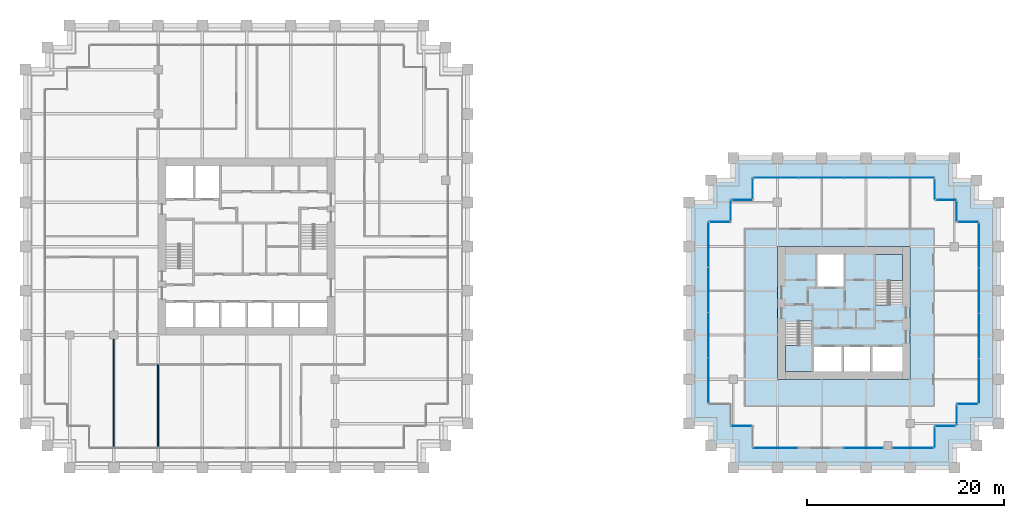
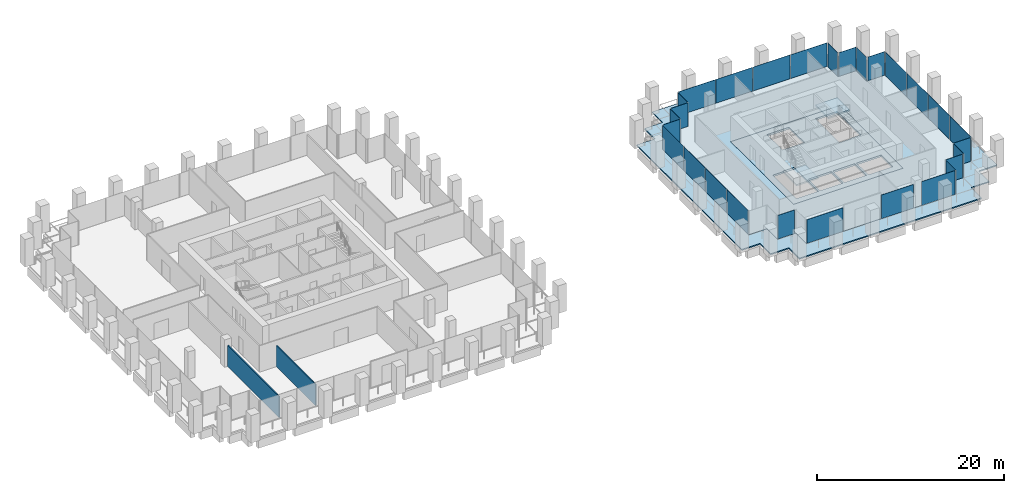
# One storey, part 49 of 54: 28 plates, 5 slabs, 2 walls, 21 elements without a shape of their own.
"""IFC4 building model written with IfcOpenShell, lengths in metres."""

from ifc_helpers import new_model, si_unit, direction, frame, frame_2d, origin, origin_2d, place, context, subcontext, project, spatial, polyline, rectangle, outline, extrude, material, layer, layer_set, type_object, element, aggregate, save


model = new_model("IFC4")

# Units and contexts
model_context = context("Model", 3, precision=1e-05, world=origin(), true_north=direction((0.0, 1.0)))
body_context = subcontext(model_context, "Body", "Model", "MODEL_VIEW")
ifc_project = project(units=[si_unit("LENGTHUNIT", "METRE"), si_unit("AREAUNIT", "SQUARE_METRE"), si_unit("VOLUMEUNIT", "CUBIC_METRE"), si_unit("PLANEANGLEUNIT", "RADIAN"), si_unit("MASSUNIT", "GRAM", prefix="KILO")], contexts=[model_context])

# Site, building, storey
site_placement = place(None, origin())
site = spatial("IfcSite", under=ifc_project, at=site_placement, CompositionType="ELEMENT")
building_placement = place(site_placement, origin())
building = spatial("IfcBuilding", under=site, at=building_placement, Name="Altepetl Exchange Towers", CompositionType="ELEMENT")
storey_placement = place(building_placement, frame((0.0, 0.0, 65.39990234375)))
storey = spatial("IfcBuildingStorey", under=building, at=storey_placement, Name="L15", CompositionType="ELEMENT", Elevation=65.39990234375)

# Slabs
ifc_material_1 = material(Name="Concrete C40/50", Category="concrete")
ifc_layer_1 = layer(ifc_material_1, 0.14990234375)
ifc_layer_set_1 = layer_set([ifc_layer_1], Name="Concrete C40/50")
slab_type_1 = type_object("IfcSlabType", Name="Composite floor slab 150", PredefinedType="FLOOR", material=ifc_layer_set_1)
slab_1_placement = place(storey_placement, frame((0.0, 0.0, -0.14990234375)))
element("IfcSlab", 1, at=slab_1_placement, inside=storey, type_object=slab_type_1, Name="slab:B:L15:strip0", PredefinedType="FLOOR", context=body_context, shape_type="SweptSolid", body=[
    extrude(outline(polyline([(98.75, 54.25), (98.75, 52.0), (96.5, 52.0), (96.5, 33.5), (98.75, 33.5), (98.75, 31.25), (101.0, 31.25), (101.0, 29.0), (119.5, 29.0), (119.5, 31.25), (121.75, 31.25), (121.75, 33.5), (124.0, 33.5), (124.0, 52.0), (121.75, 52.0), (121.75, 54.25), (119.5, 54.25), (119.5, 56.5), (101.0, 56.5), (101.0, 54.25), (98.75, 54.25)]), holes=[polyline([(117.0, 49.5), (117.0, 36.0), (103.5, 36.0), (103.5, 49.5), (117.0, 49.5)])]), origin(), (0.0, 0.0, 1.0), 0.14990234375),
])
ifc_layer_2 = layer(ifc_material_1, 0.25)
ifc_layer_set_2 = layer_set([ifc_layer_2], Name="Concrete C40/50")
slab_type_2 = type_object("IfcSlabType", Name="Core floor slab 250", PredefinedType="FLOOR", material=ifc_layer_set_2)
slab_2_placement = place(storey_placement, frame((0.0, 0.0, -0.25)))
element("IfcSlab", 2, at=slab_2_placement, inside=storey, type_object=slab_type_2, Name="slab:B:L15:core0", PredefinedType="FLOOR", context=body_context, shape_type="SweptSolid", body=[
    extrude(outline(polyline([(103.5, 36.0), (117.0, 36.0), (117.0, 49.5), (103.5, 49.5), (103.5, 36.0)]), holes=[polyline([(107.199951171875, 36.800048828125), (107.199951171875, 39.300048828125), (110.032958984375, 39.300048828125), (110.032958984375, 36.800048828125), (107.199951171875, 36.800048828125)]), polyline([(110.23291015625, 39.300048828125), (112.967041015625, 39.300048828125), (112.967041015625, 36.800048828125), (110.23291015625, 36.800048828125), (110.23291015625, 39.300048828125)]), polyline([(113.1669921875, 39.300048828125), (116.199951171875, 39.300048828125), (116.199951171875, 36.800048828125), (113.1669921875, 36.800048828125), (113.1669921875, 39.300048828125)]), polyline([(107.0, 36.800048828125), (104.300048828125, 36.800048828125), (104.300048828125, 41.85009765625), (105.60009765625, 41.85009765625), (105.60009765625, 41.948974609375), (107.0, 41.948974609375), (107.0, 36.800048828125)]), polyline([(116.199951171875, 48.699951171875), (116.199951171875, 43.64990234375), (114.89990234375, 43.64990234375), (114.89990234375, 43.551025390625), (113.5, 43.551025390625), (113.5, 48.699951171875), (116.199951171875, 48.699951171875)]), polyline([(107.532958984375, 48.699951171875), (110.26708984375, 48.699951171875), (110.26708984375, 45.39990234375), (107.532958984375, 45.39990234375), (107.532958984375, 48.699951171875)])]), origin(), (0.0, 0.0, 1.0), 0.25),
])

# Curtain wall, plate
ifc_material_2 = material(Name="Aluminium 6063-T6 glazing", Category="aluminium")
curtain_wall_type = type_object("IfcCurtainWallType", Name="Loggia glazing system", PredefinedType="NOTDEFINED", material=ifc_material_2)
curtain_wall_1_placement = place(storey_placement, origin())
curtain_wall_1 = element("IfcCurtainWall", 3, at=curtain_wall_1_placement, inside=storey, type_object=curtain_wall_type, Name="CW1 run", PredefinedType="NOTDEFINED")
ifc_material_3 = material(Name="Glass 6-16-6 low emissivity", Category="glass")
ifc_layer_3 = layer(ifc_material_3, 0.028076171875)
ifc_layer_set_3 = layer_set([ifc_layer_3], Name="Glass 6-16-6 low emissivity")
plate_type = type_object("IfcPlateType", Name="Glass panel 28 double glazed", PredefinedType="CURTAIN_PANEL", material=ifc_layer_set_3)
plate_1_placement = place(storey_placement, frame((97.66259765625, 52.0, 0.0), z_axis=(0.0, 0.0, 1.0), x_axis=(-1.0, 0.0, 0.0)))
plate_1 = element("IfcPlate", 4, at=plate_1_placement, type_object=plate_type, Name="GP1 panel", PredefinedType="CURTAIN_PANEL", context=body_context, shape_type="SweptSolid", body=[
    extrude(rectangle(XDim=2.054931640625, YDim=0.028076171875, at=origin_2d()), origin(), (0.0, 0.0, 1.0), 3.10009765625),
])
aggregate(curtain_wall_1, [plate_1])

# Curtain wall, plates
curtain_wall_2_placement = place(storey_placement, origin())
curtain_wall_2 = element("IfcCurtainWall", 5, at=curtain_wall_2_placement, inside=storey, type_object=curtain_wall_type, Name="CW1 run", PredefinedType="NOTDEFINED")
plate_2_placement = place(storey_placement, frame((96.5, 49.681884765625, 0.0), z_axis=(0.0, 0.0, 1.0), x_axis=(0.0, -1.0, 0.0)))
plate_2 = element("IfcPlate", 6, at=plate_2_placement, type_object=plate_type, Name="GP1 panel", PredefinedType="CURTAIN_PANEL", context=body_context, shape_type="SweptSolid", body=[
    extrude(rectangle(XDim=4.516357421875, YDim=0.028076171875, at=origin_2d()), origin(), (0.0, 0.0, 1.0), 3.10009765625),
])
plate_3_placement = place(storey_placement, frame((96.5, 45.090576171875, 0.0), z_axis=(0.0, 0.0, 1.0), x_axis=(0.0, -1.0, 0.0)))
plate_3 = element("IfcPlate", 7, at=plate_3_placement, type_object=plate_type, Name="GP1 panel", PredefinedType="CURTAIN_PANEL", context=body_context, shape_type="SweptSolid", body=[
    extrude(rectangle(XDim=4.546142578125, YDim=0.028076171875, at=origin_2d()), origin(), (0.0, 0.0, 1.0), 3.10009765625),
])
plate_4_placement = place(storey_placement, frame((96.5, 40.484375, 0.0), z_axis=(0.0, 0.0, 1.0), x_axis=(0.0, -1.0, 0.0)))
plate_4 = element("IfcPlate", 8, at=plate_4_placement, type_object=plate_type, Name="GP1 panel", PredefinedType="CURTAIN_PANEL", context=body_context, shape_type="SweptSolid", body=[
    extrude(rectangle(XDim=4.546142578125, YDim=0.028076171875, at=origin_2d()), origin(), (0.0, 0.0, 1.0), 3.10009765625),
])
plate_5_placement = place(storey_placement, frame((96.5, 35.89306640625, 0.0), z_axis=(0.0, 0.0, 1.0), x_axis=(0.0, -1.0, 0.0)))
plate_5 = element("IfcPlate", 9, at=plate_5_placement, type_object=plate_type, Name="GP1 panel", PredefinedType="CURTAIN_PANEL", context=body_context, shape_type="SweptSolid", body=[
    extrude(rectangle(XDim=4.516357421875, YDim=0.028076171875, at=origin_2d()), origin(), (0.0, 0.0, 1.0), 3.10009765625),
])
aggregate(curtain_wall_2, [plate_2, plate_3, plate_4, plate_5])

# Curtain wall, plate
curtain_wall_3_placement = place(storey_placement, origin())
curtain_wall_3 = element("IfcCurtainWall", 10, at=curtain_wall_3_placement, inside=storey, type_object=curtain_wall_type, Name="CW1 run", PredefinedType="NOTDEFINED")
plate_6_placement = place(storey_placement, frame((99.83740234375, 31.25, 0.0)))
plate_6 = element("IfcPlate", 11, at=plate_6_placement, type_object=plate_type, Name="GP1 panel", PredefinedType="CURTAIN_PANEL", context=body_context, shape_type="SweptSolid", body=[
    extrude(rectangle(XDim=2.054931640625, YDim=0.028076171875, at=origin_2d()), origin(), (0.0, 0.0, 1.0), 3.10009765625),
])
aggregate(curtain_wall_3, [plate_6])

curtain_wall_4_placement = place(storey_placement, origin())
curtain_wall_4 = element("IfcCurtainWall", 12, at=curtain_wall_4_placement, inside=storey, type_object=curtain_wall_type, Name="CW1 run", PredefinedType="NOTDEFINED")
plate_7_placement = place(storey_placement, frame((103.30322265625, 29.0, 0.0)))
plate_7 = element("IfcPlate", 13, at=plate_7_placement, type_object=plate_type, Name="GP1 panel", PredefinedType="CURTAIN_PANEL", context=body_context, shape_type="SweptSolid", body=[
    extrude(rectangle(XDim=4.486328125, YDim=0.028076171875, at=origin_2d()), origin(), (0.0, 0.0, 1.0), 3.10009765625),
])
aggregate(curtain_wall_4, [plate_7])

curtain_wall_5_placement = place(storey_placement, origin())
curtain_wall_5 = element("IfcCurtainWall", 14, at=curtain_wall_5_placement, inside=storey, type_object=curtain_wall_type, Name="CW1 run", PredefinedType="NOTDEFINED")
plate_8_placement = place(storey_placement, frame((112.2587890625, 29.0, 0.0)))
plate_8 = element("IfcPlate", 15, at=plate_8_placement, type_object=plate_type, Name="GP1 panel", PredefinedType="CURTAIN_PANEL", context=body_context, shape_type="SweptSolid", body=[
    extrude(rectangle(XDim=3.972412109375, YDim=0.028076171875, at=origin_2d()), origin(), (0.0, 0.0, 1.0), 3.10009765625),
])
aggregate(curtain_wall_5, [plate_8])

curtain_wall_6_placement = place(storey_placement, origin())
curtain_wall_6 = element("IfcCurtainWall", 16, at=curtain_wall_6_placement, inside=storey, type_object=curtain_wall_type, Name="CW1 run", PredefinedType="NOTDEFINED")
plate_9_placement = place(storey_placement, frame((117.31005859375, 29.0, 0.0)))
plate_9 = element("IfcPlate", 17, at=plate_9_placement, type_object=plate_type, Name="GP1 panel", PredefinedType="CURTAIN_PANEL", context=body_context, shape_type="SweptSolid", body=[
    extrude(rectangle(XDim=4.110107421875, YDim=0.028076171875, at=origin_2d()), origin(), (0.0, 0.0, 1.0), 3.10009765625),
])
aggregate(curtain_wall_6, [plate_9])

curtain_wall_7_placement = place(storey_placement, origin())
curtain_wall_7 = element("IfcCurtainWall", 18, at=curtain_wall_7_placement, inside=storey, type_object=curtain_wall_type, Name="CW1 run", PredefinedType="NOTDEFINED")
plate_10_placement = place(storey_placement, frame((119.5, 30.08740234375, 0.0), z_axis=(0.0, 0.0, 1.0), x_axis=(0.0, 1.0, 0.0)))
plate_10 = element("IfcPlate", 19, at=plate_10_placement, type_object=plate_type, Name="GP1 panel", PredefinedType="CURTAIN_PANEL", context=body_context, shape_type="SweptSolid", body=[
    extrude(rectangle(XDim=2.054931640625, YDim=0.028076171875, at=origin_2d()), origin(), (0.0, 0.0, 1.0), 3.10009765625),
])
aggregate(curtain_wall_7, [plate_10])

curtain_wall_8_placement = place(storey_placement, origin())
curtain_wall_8 = element("IfcCurtainWall", 20, at=curtain_wall_8_placement, inside=storey, type_object=curtain_wall_type, Name="CW1 run", PredefinedType="NOTDEFINED")
plate_11_placement = place(storey_placement, frame((120.58740234375, 31.25, 0.0)))
plate_11 = element("IfcPlate", 21, at=plate_11_placement, type_object=plate_type, Name="GP1 panel", PredefinedType="CURTAIN_PANEL", context=body_context, shape_type="SweptSolid", body=[
    extrude(rectangle(XDim=2.054931640625, YDim=0.028076171875, at=origin_2d()), origin(), (0.0, 0.0, 1.0), 3.10009765625),
])
aggregate(curtain_wall_8, [plate_11])

curtain_wall_9_placement = place(storey_placement, origin())
curtain_wall_9 = element("IfcCurtainWall", 22, at=curtain_wall_9_placement, inside=storey, type_object=curtain_wall_type, Name="CW1 run", PredefinedType="NOTDEFINED")
plate_12_placement = place(storey_placement, frame((121.75, 32.33740234375, 0.0), z_axis=(0.0, 0.0, 1.0), x_axis=(0.0, 1.0, 0.0)))
plate_12 = element("IfcPlate", 23, at=plate_12_placement, type_object=plate_type, Name="GP1 panel", PredefinedType="CURTAIN_PANEL", context=body_context, shape_type="SweptSolid", body=[
    extrude(rectangle(XDim=2.054931640625, YDim=0.028076171875, at=origin_2d()), origin(), (0.0, 0.0, 1.0), 3.10009765625),
])
aggregate(curtain_wall_9, [plate_12])

curtain_wall_10_placement = place(storey_placement, origin())
curtain_wall_10 = element("IfcCurtainWall", 24, at=curtain_wall_10_placement, inside=storey, type_object=curtain_wall_type, Name="CW1 run", PredefinedType="NOTDEFINED")
plate_13_placement = place(storey_placement, frame((122.83740234375, 33.5, 0.0)))
plate_13 = element("IfcPlate", 25, at=plate_13_placement, type_object=plate_type, Name="GP1 panel", PredefinedType="CURTAIN_PANEL", context=body_context, shape_type="SweptSolid", body=[
    extrude(rectangle(XDim=2.054931640625, YDim=0.028076171875, at=origin_2d()), origin(), (0.0, 0.0, 1.0), 3.10009765625),
])
aggregate(curtain_wall_10, [plate_13])

# Curtain wall, plates
curtain_wall_11_placement = place(storey_placement, origin())
curtain_wall_11 = element("IfcCurtainWall", 26, at=curtain_wall_11_placement, inside=storey, type_object=curtain_wall_type, Name="CW1 run", PredefinedType="NOTDEFINED")
plate_14_placement = place(storey_placement, frame((124.0, 35.818115234375, 0.0), z_axis=(0.0, 0.0, 1.0), x_axis=(0.0, 1.0, 0.0)))
plate_14 = element("IfcPlate", 27, at=plate_14_placement, type_object=plate_type, Name="GP1 panel", PredefinedType="CURTAIN_PANEL", context=body_context, shape_type="SweptSolid", body=[
    extrude(rectangle(XDim=4.516357421875, YDim=0.028076171875, at=origin_2d()), origin(), (0.0, 0.0, 1.0), 3.10009765625),
])
plate_15_placement = place(storey_placement, frame((124.0, 40.409423828125, 0.0), z_axis=(0.0, 0.0, 1.0), x_axis=(0.0, 1.0, 0.0)))
plate_15 = element("IfcPlate", 28, at=plate_15_placement, type_object=plate_type, Name="GP1 panel", PredefinedType="CURTAIN_PANEL", context=body_context, shape_type="SweptSolid", body=[
    extrude(rectangle(XDim=4.546142578125, YDim=0.028076171875, at=origin_2d()), origin(), (0.0, 0.0, 1.0), 3.10009765625),
])
plate_16_placement = place(storey_placement, frame((124.0, 45.015625, 0.0), z_axis=(0.0, 0.0, 1.0), x_axis=(0.0, 1.0, 0.0)))
plate_16 = element("IfcPlate", 29, at=plate_16_placement, type_object=plate_type, Name="GP1 panel", PredefinedType="CURTAIN_PANEL", context=body_context, shape_type="SweptSolid", body=[
    extrude(rectangle(XDim=4.546142578125, YDim=0.028076171875, at=origin_2d()), origin(), (0.0, 0.0, 1.0), 3.10009765625),
])
plate_17_placement = place(storey_placement, frame((124.0, 49.60693359375, 0.0), z_axis=(0.0, 0.0, 1.0), x_axis=(0.0, 1.0, 0.0)))
plate_17 = element("IfcPlate", 30, at=plate_17_placement, type_object=plate_type, Name="GP1 panel", PredefinedType="CURTAIN_PANEL", context=body_context, shape_type="SweptSolid", body=[
    extrude(rectangle(XDim=4.516357421875, YDim=0.028076171875, at=origin_2d()), origin(), (0.0, 0.0, 1.0), 3.10009765625),
])
aggregate(curtain_wall_11, [plate_14, plate_15, plate_16, plate_17])

# Curtain wall, plate
curtain_wall_12_placement = place(storey_placement, origin())
curtain_wall_12 = element("IfcCurtainWall", 31, at=curtain_wall_12_placement, inside=storey, type_object=curtain_wall_type, Name="CW1 run", PredefinedType="NOTDEFINED")
plate_18_placement = place(storey_placement, frame((122.91259765625, 52.0, 0.0), z_axis=(0.0, 0.0, 1.0), x_axis=(-1.0, 0.0, 0.0)))
plate_18 = element("IfcPlate", 32, at=plate_18_placement, type_object=plate_type, Name="GP1 panel", PredefinedType="CURTAIN_PANEL", context=body_context, shape_type="SweptSolid", body=[
    extrude(rectangle(XDim=2.054931640625, YDim=0.028076171875, at=origin_2d()), origin(), (0.0, 0.0, 1.0), 3.10009765625),
])
aggregate(curtain_wall_12, [plate_18])

curtain_wall_13_placement = place(storey_placement, origin())
curtain_wall_13 = element("IfcCurtainWall", 33, at=curtain_wall_13_placement, inside=storey, type_object=curtain_wall_type, Name="CW1 run", PredefinedType="NOTDEFINED")
plate_19_placement = place(storey_placement, frame((121.75, 53.08740234375, 0.0), z_axis=(0.0, 0.0, 1.0), x_axis=(0.0, 1.0, 0.0)))
plate_19 = element("IfcPlate", 34, at=plate_19_placement, type_object=plate_type, Name="GP1 panel", PredefinedType="CURTAIN_PANEL", context=body_context, shape_type="SweptSolid", body=[
    extrude(rectangle(XDim=2.054931640625, YDim=0.028076171875, at=origin_2d()), origin(), (0.0, 0.0, 1.0), 3.10009765625),
])
aggregate(curtain_wall_13, [plate_19])

curtain_wall_14_placement = place(storey_placement, origin())
curtain_wall_14 = element("IfcCurtainWall", 35, at=curtain_wall_14_placement, inside=storey, type_object=curtain_wall_type, Name="CW1 run", PredefinedType="NOTDEFINED")
plate_20_placement = place(storey_placement, frame((120.66259765625, 54.25, 0.0), z_axis=(0.0, 0.0, 1.0), x_axis=(-1.0, 0.0, 0.0)))
plate_20 = element("IfcPlate", 36, at=plate_20_placement, type_object=plate_type, Name="GP1 panel", PredefinedType="CURTAIN_PANEL", context=body_context, shape_type="SweptSolid", body=[
    extrude(rectangle(XDim=2.054931640625, YDim=0.028076171875, at=origin_2d()), origin(), (0.0, 0.0, 1.0), 3.10009765625),
])
aggregate(curtain_wall_14, [plate_20])

curtain_wall_15_placement = place(storey_placement, origin())
curtain_wall_15 = element("IfcCurtainWall", 37, at=curtain_wall_15_placement, inside=storey, type_object=curtain_wall_type, Name="CW1 run", PredefinedType="NOTDEFINED")
plate_21_placement = place(storey_placement, frame((119.5, 55.33740234375, 0.0), z_axis=(0.0, 0.0, 1.0), x_axis=(0.0, 1.0, 0.0)))
plate_21 = element("IfcPlate", 38, at=plate_21_placement, type_object=plate_type, Name="GP1 panel", PredefinedType="CURTAIN_PANEL", context=body_context, shape_type="SweptSolid", body=[
    extrude(rectangle(XDim=2.054931640625, YDim=0.028076171875, at=origin_2d()), origin(), (0.0, 0.0, 1.0), 3.10009765625),
])
aggregate(curtain_wall_15, [plate_21])

# Curtain wall, plates
curtain_wall_16_placement = place(storey_placement, origin())
curtain_wall_16 = element("IfcCurtainWall", 39, at=curtain_wall_16_placement, inside=storey, type_object=curtain_wall_type, Name="CW1 run", PredefinedType="NOTDEFINED")
plate_22_placement = place(storey_placement, frame((117.181884765625, 56.5, 0.0), z_axis=(0.0, 0.0, 1.0), x_axis=(-1.0, 0.0, 0.0)))
plate_22 = element("IfcPlate", 40, at=plate_22_placement, type_object=plate_type, Name="GP1 panel", PredefinedType="CURTAIN_PANEL", context=body_context, shape_type="SweptSolid", body=[
    extrude(rectangle(XDim=4.516357421875, YDim=0.028076171875, at=origin_2d()), origin(), (0.0, 0.0, 1.0), 3.10009765625),
])
plate_23_placement = place(storey_placement, frame((112.590576171875, 56.5, 0.0), z_axis=(0.0, 0.0, 1.0), x_axis=(-1.0, 0.0, 0.0)))
plate_23 = element("IfcPlate", 41, at=plate_23_placement, type_object=plate_type, Name="GP1 panel", PredefinedType="CURTAIN_PANEL", context=body_context, shape_type="SweptSolid", body=[
    extrude(rectangle(XDim=4.546142578125, YDim=0.028076171875, at=origin_2d()), origin(), (0.0, 0.0, 1.0), 3.10009765625),
])
plate_24_placement = place(storey_placement, frame((107.984375, 56.5, 0.0), z_axis=(0.0, 0.0, 1.0), x_axis=(-1.0, 0.0, 0.0)))
plate_24 = element("IfcPlate", 42, at=plate_24_placement, type_object=plate_type, Name="GP1 panel", PredefinedType="CURTAIN_PANEL", context=body_context, shape_type="SweptSolid", body=[
    extrude(rectangle(XDim=4.546142578125, YDim=0.028076171875, at=origin_2d()), origin(), (0.0, 0.0, 1.0), 3.10009765625),
])
plate_25_placement = place(storey_placement, frame((103.39306640625, 56.5, 0.0), z_axis=(0.0, 0.0, 1.0), x_axis=(-1.0, 0.0, 0.0)))
plate_25 = element("IfcPlate", 43, at=plate_25_placement, type_object=plate_type, Name="GP1 panel", PredefinedType="CURTAIN_PANEL", context=body_context, shape_type="SweptSolid", body=[
    extrude(rectangle(XDim=4.516357421875, YDim=0.028076171875, at=origin_2d()), origin(), (0.0, 0.0, 1.0), 3.10009765625),
])
aggregate(curtain_wall_16, [plate_22, plate_23, plate_24, plate_25])

# Curtain wall, plate
curtain_wall_17_placement = place(storey_placement, origin())
curtain_wall_17 = element("IfcCurtainWall", 44, at=curtain_wall_17_placement, inside=storey, type_object=curtain_wall_type, Name="CW1 run", PredefinedType="NOTDEFINED")
plate_26_placement = place(storey_placement, frame((101.0, 55.41259765625, 0.0), z_axis=(0.0, 0.0, 1.0), x_axis=(0.0, -1.0, 0.0)))
plate_26 = element("IfcPlate", 45, at=plate_26_placement, type_object=plate_type, Name="GP1 panel", PredefinedType="CURTAIN_PANEL", context=body_context, shape_type="SweptSolid", body=[
    extrude(rectangle(XDim=2.054931640625, YDim=0.028076171875, at=origin_2d()), origin(), (0.0, 0.0, 1.0), 3.10009765625),
])
aggregate(curtain_wall_17, [plate_26])

curtain_wall_18_placement = place(storey_placement, origin())
curtain_wall_18 = element("IfcCurtainWall", 46, at=curtain_wall_18_placement, inside=storey, type_object=curtain_wall_type, Name="CW1 run", PredefinedType="NOTDEFINED")
plate_27_placement = place(storey_placement, frame((99.91259765625, 54.25, 0.0), z_axis=(0.0, 0.0, 1.0), x_axis=(-1.0, 0.0, 0.0)))
plate_27 = element("IfcPlate", 47, at=plate_27_placement, type_object=plate_type, Name="GP1 panel", PredefinedType="CURTAIN_PANEL", context=body_context, shape_type="SweptSolid", body=[
    extrude(rectangle(XDim=2.054931640625, YDim=0.028076171875, at=origin_2d()), origin(), (0.0, 0.0, 1.0), 3.10009765625),
])
aggregate(curtain_wall_18, [plate_27])

curtain_wall_19_placement = place(storey_placement, origin())
curtain_wall_19 = element("IfcCurtainWall", 48, at=curtain_wall_19_placement, inside=storey, type_object=curtain_wall_type, Name="CW1 run", PredefinedType="NOTDEFINED")
plate_28_placement = place(storey_placement, frame((98.75, 53.16259765625, 0.0), z_axis=(0.0, 0.0, 1.0), x_axis=(0.0, -1.0, 0.0)))
plate_28 = element("IfcPlate", 49, at=plate_28_placement, type_object=plate_type, Name="GP1 panel", PredefinedType="CURTAIN_PANEL", context=body_context, shape_type="SweptSolid", body=[
    extrude(rectangle(XDim=2.054931640625, YDim=0.028076171875, at=origin_2d()), origin(), (0.0, 0.0, 1.0), 3.10009765625),
])
aggregate(curtain_wall_19, [plate_28])

# Slab
ifc_layer_4 = layer(ifc_material_1, 0.14990234375)
ifc_layer_set_4 = layer_set([ifc_layer_4], Name="Concrete C40/50")
slab_type_3 = type_object("IfcSlabType", Name="Loggia slab 150", PredefinedType="FLOOR", material=ifc_layer_set_4)
slab_3_placement = place(storey_placement, frame((0.0, 0.0, -0.14990234375)))
element("IfcSlab", 50, at=slab_3_placement, inside=storey, type_object=slab_type_3, Name="slab:B:L15:loggia0", PredefinedType="FLOOR", context=body_context, shape_type="SweptSolid", body=[
    extrude(outline(polyline([(96.75, 54.0), (94.5, 54.0), (94.5, 36.0), (94.5, 31.5), (96.75, 31.5), (96.75, 29.25), (99.0, 29.25), (99.0, 27.0), (117.0, 27.0), (121.5, 27.0), (121.5, 29.25), (123.75, 29.25), (123.75, 31.5), (126.0, 31.5), (126.0, 49.5), (126.0, 54.0), (123.75, 54.0), (123.75, 56.25), (121.5, 56.25), (121.5, 58.5), (103.5, 58.5), (99.0, 58.5), (99.0, 56.25), (96.75, 56.25), (96.75, 54.0)]), holes=[polyline([(96.5, 52.0), (98.75, 52.0), (98.75, 54.25), (101.0, 54.25), (101.0, 56.5), (119.5, 56.5), (119.5, 54.25), (121.75, 54.25), (121.75, 52.0), (124.0, 52.0), (124.0, 33.5), (121.75, 33.5), (121.75, 31.25), (119.5, 31.25), (119.5, 29.0), (101.0, 29.0), (101.0, 31.25), (98.75, 31.25), (98.75, 33.5), (96.5, 33.5), (96.5, 52.0)])]), origin(), (0.0, 0.0, 1.0), 0.14990234375),
])

# Stair, slab
stair_type = type_object("IfcStairType", Name="Exit stair 1300 flights dogleg", PredefinedType="HALF_TURN_STAIR", material=ifc_material_1)
stair_1_placement = place(storey_placement, origin())
stair_1 = element("IfcStair", 51, at=stair_1_placement, inside=storey, type_object=stair_type, Name="Exit stair 1", PredefinedType="HALF_TURN_STAIR")
ifc_layer_5 = layer(ifc_material_1, 0.199951171875)
ifc_layer_set_5 = layer_set([ifc_layer_5], Name="Concrete C40/50")
slab_type_4 = type_object("IfcSlabType", Name="Stair landing 200 reinforced concrete", PredefinedType="LANDING", material=ifc_layer_set_5)
slab_4_placement = place(storey_placement, frame((0.0, 0.0, 1.60009765625)))
slab_4 = element("IfcSlab", 52, at=slab_4_placement, type_object=slab_type_4, Name="ST-B1c landing 1", PredefinedType="LANDING", context=body_context, shape_type="SweptSolid", body=[
    extrude(outline(polyline([(107.0, 36.800048828125), (104.300048828125, 36.800048828125), (104.300048828125, 39.429931640625), (104.300048828125, 39.4306640625), (105.60009765625, 39.4306640625), (105.60009765625, 39.429931640625), (105.699951171875, 39.429931640625), (105.699951171875, 39.530029296875), (107.0, 39.530029296875), (107.0, 39.429931640625), (107.0, 36.800048828125)])), origin(), (0.0, 0.0, 1.0), 0.199951171875),
])
aggregate(stair_1, [slab_4])

stair_2_placement = place(storey_placement, origin())
stair_2 = element("IfcStair", 53, at=stair_2_placement, inside=storey, type_object=stair_type, Name="Exit stair 2", PredefinedType="HALF_TURN_STAIR")
slab_5_placement = place(storey_placement, frame((0.0, 0.0, 1.60009765625)))
slab_5 = element("IfcSlab", 54, at=slab_5_placement, type_object=slab_type_4, Name="ST-B2c landing 1", PredefinedType="LANDING", context=body_context, shape_type="SweptSolid", body=[
    extrude(outline(polyline([(114.800048828125, 45.969970703125), (113.5, 45.969970703125), (113.5, 46.070068359375), (113.5, 48.699951171875), (116.199951171875, 48.699951171875), (116.199951171875, 46.070068359375), (116.199951171875, 46.0693359375), (114.89990234375, 46.0693359375), (114.89990234375, 46.070068359375), (114.800048828125, 46.070068359375), (114.800048828125, 45.969970703125)])), origin(), (0.0, 0.0, 1.0), 0.199951171875),
])
aggregate(stair_2, [slab_5])

# Walls
ifc_material_4 = material(Name="Gypsum board on steel studs", Category="steel")
ifc_layer_6 = layer(ifc_material_4, 0.125)
ifc_layer_set_6 = layer_set([ifc_layer_6], Name="Gypsum board on steel studs")
wall_type = type_object("IfcWallType", Name="Partition 125 gypsum board on steel studs", PredefinedType="PARTITIONING", material=ifc_layer_set_6)
wall_1_placement = place(storey_placement, frame((36.0, 29.10009765625, 0.0), z_axis=(0.0, 0.0, 1.0), x_axis=(0.0, 1.0, 0.0)))
element("IfcWall", 55, at=wall_1_placement, inside=storey, type_object=wall_type, Name="wall:A:L15:P10", PredefinedType="PARTITIONING", context=body_context, shape_type="SweptSolid", body=[
    extrude(rectangle(XDim=10.974853515625, YDim=0.125, at=frame_2d((5.4873046875, 0.0))), origin(), (0.0, 0.0, 1.0), 2.76611328125),
])
wall_2_placement = place(storey_placement, frame((40.5, 29.10009765625, 0.0), z_axis=(0.0, 0.0, 1.0), x_axis=(0.0, 1.0, 0.0)))
element("IfcWall", 56, at=wall_2_placement, inside=storey, type_object=wall_type, Name="wall:A:L15:P14", PredefinedType="PARTITIONING", context=body_context, shape_type="SweptSolid", body=[
    extrude(rectangle(XDim=8.39990234375, YDim=0.125, at=frame_2d((4.199951171875, 0.0))), origin(), (0.0, 0.0, 1.0), 2.76611328125),
])

save(model, "model.ifc")
